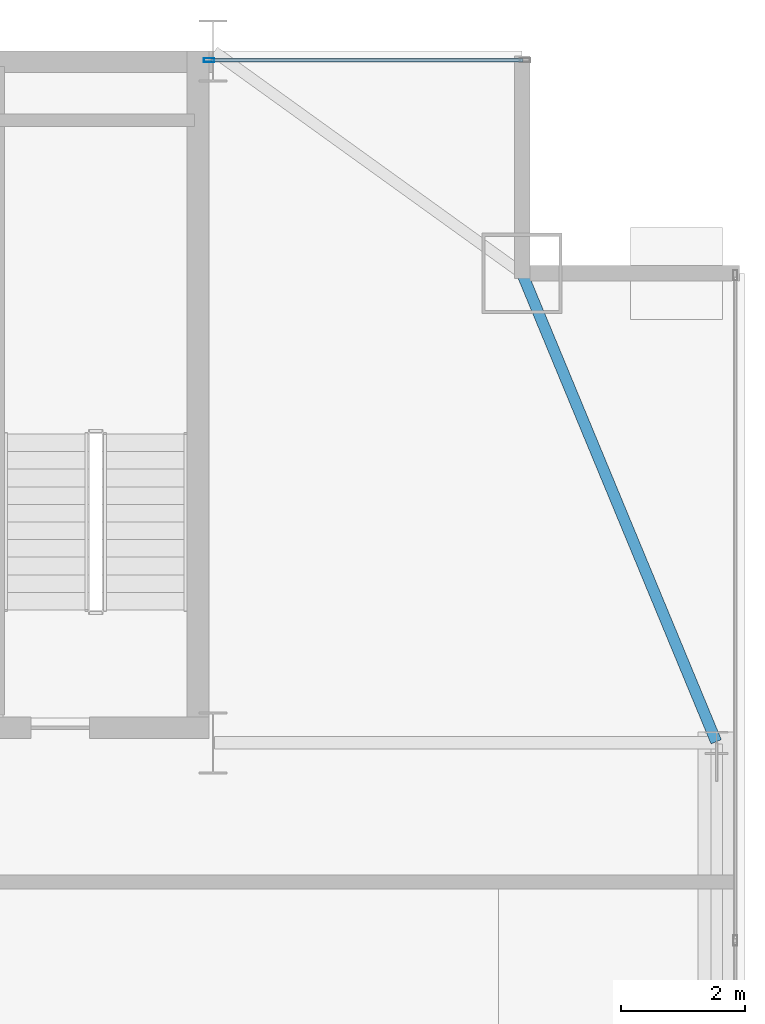
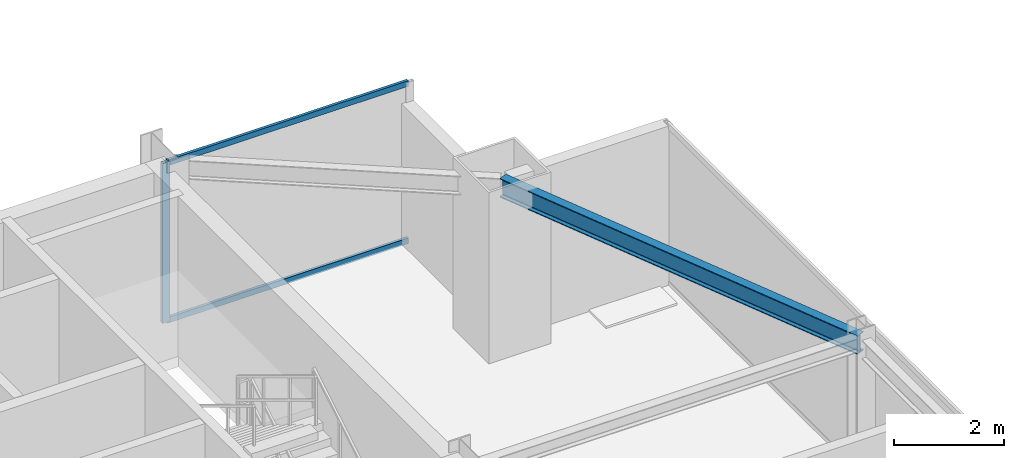
# One storey, part 23 of 33: 3 members, 1 beam, 1 element without a shape of its own.
"""IFC4 building model written with IfcOpenShell, lengths in metres."""

from ifc_helpers import new_model, si_unit, direction, frame, origin, origin_2d, place, context, subcontext, project, spatial, hollow_rectangle, i_section, extrude, source, transform, mapped, material, layer, layer_set, material_profile, profile_set, type_object, type_shapes, element, aggregate, save


model = new_model("IFC4")

# Units and contexts
model_context = context("Model", 3, precision=1e-05, world=origin(), true_north=direction((0.0, 1.0)))
body_context = subcontext(model_context, "Body", "Model", "MODEL_VIEW")
ifc_project = project(units=[si_unit("LENGTHUNIT", "METRE"), si_unit("AREAUNIT", "SQUARE_METRE"), si_unit("VOLUMEUNIT", "CUBIC_METRE"), si_unit("PLANEANGLEUNIT", "RADIAN"), si_unit("MASSUNIT", "GRAM", prefix="KILO")], contexts=[model_context])

# Site, building, storey
site_placement = place(None, origin())
site = spatial("IfcSite", under=ifc_project, at=site_placement, CompositionType="ELEMENT")
building_placement = place(site_placement, origin())
building = spatial("IfcBuilding", under=site, at=building_placement, Name="Varnel Quay Broadcast Tower", CompositionType="ELEMENT")
storey_placement = place(building_placement, frame((0.0, 0.0, 145.800048828125)))
storey = spatial("IfcBuildingStorey", under=building, at=storey_placement, Name="L35", CompositionType="ELEMENT", Elevation=145.800048828125)

# Beam
ifc_material_1 = material(Name="Structural Steel CSA G40.21 350W", Category="steel")
ifc_material_profile_1 = material_profile(ifc_material_1, i_section(OverallWidth=0.180908203125, OverallDepth=0.4169921875, WebThickness=0.010986328125, FlangeThickness=0.018310546875, FilletRadius=0.011962890625, at=origin_2d()), Name="W410X85")
ifc_profile_set_1 = profile_set([ifc_material_profile_1], Name="Structural Steel CSA G40.21 350W")
beam_type = type_object("IfcBeamType", Name="Beam_W410X85", PredefinedType="SPANDREL", material=ifc_profile_set_1)
shared_shape_1 = source(origin(), body_context, "Body", "SweptSolid", [
    extrude(i_section(OverallWidth=0.180908203125, OverallDepth=0.4169921875, WebThickness=0.010986328125, FlangeThickness=0.018310546875, FilletRadius=0.011962890625, at=origin_2d()), origin(), (0.0, 0.0, 1.0), 8.186767578125),
])
type_shapes(beam_type, [shared_shape_1])
beam_placement = place(storey_placement, frame((60.542236328125, 35.618408203125, 3.341552734375), z_axis=(-0.382874132092, 0.923800519038, 0.0), x_axis=(-0.923800519038, -0.382874132092, 0.0)))
element("IfcBeam", 1, at=beam_placement, inside=storey, type_object=beam_type, Name="L35 East Spandrel TC-E3-MC-NE", PredefinedType="SPANDREL", context=body_context, shape_type="MappedRepresentation", body=[
    mapped(shared_shape_1, transform((0.0, 0.0, 0.0), x_axis=(1.0, 0.0, 0.0), y_axis=(0.0, 1.0, 0.0), z_axis=(0.0, 0.0, 1.0), scale=1.0)),
])

# Curtain wall, members
ifc_material_2 = material(Name="Anodised Bronze Aluminium 6063-T6", Category="aluminium")
ifc_layer = layer(ifc_material_2, 0.18994140625, Name="Anodised Bronze Aluminium 6063-T6")
ifc_layer_set = layer_set([ifc_layer], Name="Anodised Bronze Aluminium 6063-T6")
curtain_wall_type = type_object("IfcCurtainWallType", Name="CW_UpperTower", PredefinedType="NOTDEFINED", material=ifc_layer_set)
curtain_wall_placement = place(storey_placement, origin())
curtain_wall = element("IfcCurtainWall", 2, at=curtain_wall_placement, inside=storey, type_object=curtain_wall_type, Name="L35 NE Wing Curtain Wall", PredefinedType="NOTDEFINED")
ifc_material_profile_2 = material_profile(ifc_material_2, hollow_rectangle(XDim=0.06494140625, YDim=0.1650390625, WallThickness=0.00341796875, at=origin_2d()), Name="ALU65X165X3.5")
ifc_profile_set_2 = profile_set([ifc_material_profile_2], Name="Anodised Bronze Aluminium 6063-T6")
member_type_1 = type_object("IfcMemberType", Name="Mull_CWS-03", PredefinedType="MULLION", material=ifc_profile_set_2)
shared_shape_2 = source(origin(), body_context, "Body", "SweptSolid", [
    extrude(hollow_rectangle(XDim=0.06494140625, YDim=0.1650390625, WallThickness=0.00341796875, at=origin_2d()), origin(), (0.0, 0.0, 1.0), 3.550048828125),
])
type_shapes(member_type_1, [shared_shape_2])
member_1_placement = place(storey_placement, frame((52.33251953125, 46.64990234375, 0.0), z_axis=(0.0, 0.0, 1.0), x_axis=(0.0, 1.0, 0.0)))
member_1 = element("IfcMember", 3, at=member_1_placement, type_object=member_type_1, Name="CWS-03 mullion 1", PredefinedType="MULLION", context=body_context, shape_type="MappedRepresentation", body=[
    mapped(shared_shape_2, transform((0.0, 0.0, 0.0), x_axis=(1.0, 0.0, 0.0), y_axis=(0.0, 1.0, 0.0), z_axis=(0.0, 0.0, 1.0), scale=1.0)),
])
ifc_material_profile_3 = material_profile(ifc_material_2, hollow_rectangle(XDim=0.06005859375, YDim=0.125, WallThickness=0.0029296875, at=origin_2d()), Name="ALU60X125X3")
ifc_profile_set_3 = profile_set([ifc_material_profile_3], Name="Anodised Bronze Aluminium 6063-T6")
member_type_2 = type_object("IfcMemberType", Name="Tran_CWS-03", PredefinedType="USERDEFINED", material=ifc_profile_set_3)
shared_shape_3 = source(origin(), body_context, "Body", "SweptSolid", [
    extrude(hollow_rectangle(XDim=0.06005859375, YDim=0.125, WallThickness=0.0029296875, at=origin_2d()), origin(), (0.0, 0.0, 1.0), 5.050048828125),
])
type_shapes(member_type_2, [shared_shape_3])
member_2_placement = place(storey_placement, frame((52.364990234375, 46.64990234375, 0.030029296875), z_axis=(1.0, 0.0, 0.0), x_axis=(0.0, 1.0, 0.0)))
member_2 = element("IfcMember", 4, at=member_2_placement, type_object=member_type_2, Name="CWS-03 transom 1.1", ObjectType="TRANSOM", PredefinedType="USERDEFINED", context=body_context, shape_type="MappedRepresentation", body=[
    mapped(shared_shape_3, transform((0.0, 0.0, 0.0), x_axis=(1.0, 0.0, 0.0), y_axis=(0.0, 1.0, 0.0), z_axis=(0.0, 0.0, 1.0), scale=1.0)),
])
member_3_placement = place(storey_placement, frame((52.364990234375, 46.64990234375, 3.52001953125), z_axis=(1.0, 0.0, 0.0), x_axis=(0.0, 1.0, 0.0)))
member_3 = element("IfcMember", 5, at=member_3_placement, type_object=member_type_2, Name="CWS-03 transom 1.2", ObjectType="TRANSOM", PredefinedType="USERDEFINED", context=body_context, shape_type="MappedRepresentation", body=[
    mapped(shared_shape_3, transform((0.0, 0.0, 0.0), x_axis=(1.0, 0.0, 0.0), y_axis=(0.0, 1.0, 0.0), z_axis=(0.0, 0.0, 1.0), scale=1.0)),
])
aggregate(curtain_wall, [member_1, member_2, member_3])

save(model, "model.ifc")
